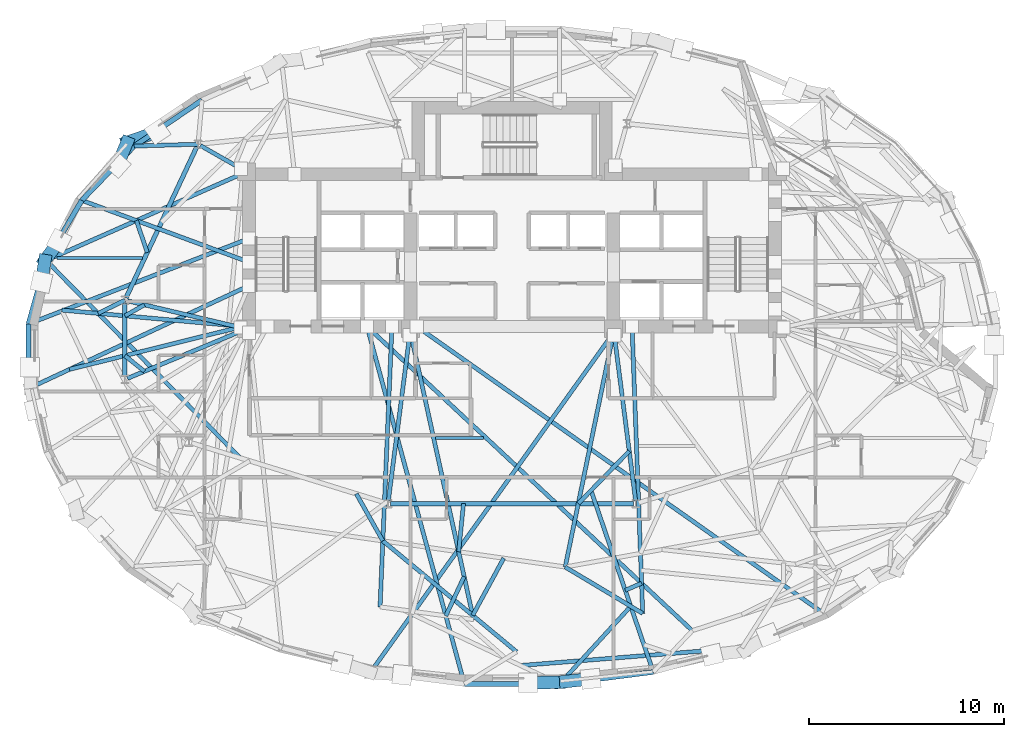
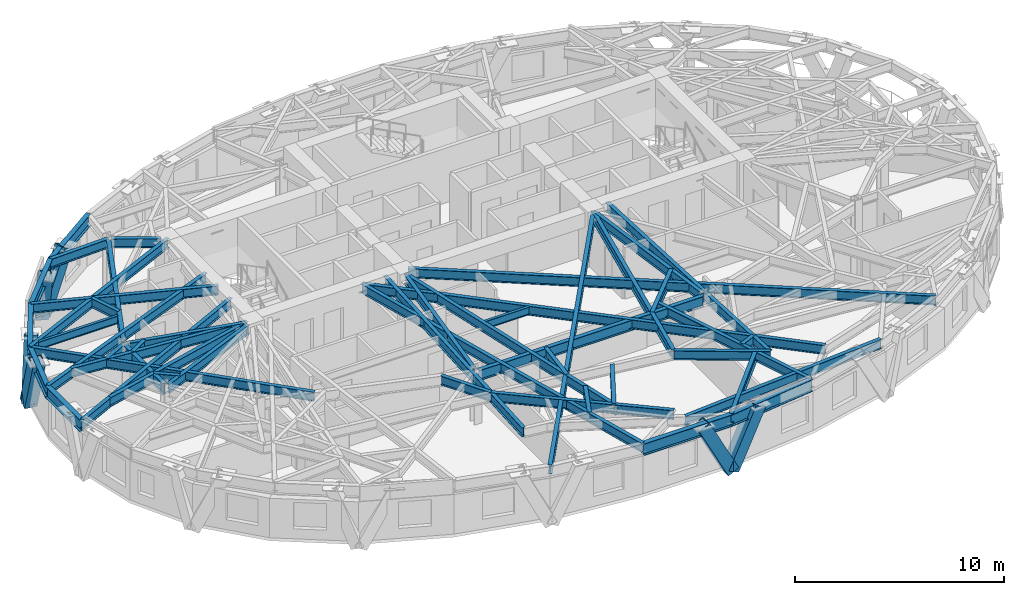
# One storey, part 2 of 15: 48 beams, 6 members.
"""IFC4 building model written with IfcOpenShell, lengths in metres."""

from ifc_helpers import new_model, si_unit, direction, frame, origin, origin_2d, place, context, subcontext, project, spatial, hollow_rectangle, i_section, extrude, material, material_profile, profile_set, type_object, element, save


model = new_model("IFC4")

# Units and contexts
model_context = context("Model", 3, precision=1e-05, world=origin(), true_north=direction((0.0, 1.0)))
body_context = subcontext(model_context, "Body", "Model", "MODEL_VIEW")
ifc_project = project(units=[si_unit("LENGTHUNIT", "METRE"), si_unit("AREAUNIT", "SQUARE_METRE"), si_unit("VOLUMEUNIT", "CUBIC_METRE"), si_unit("PLANEANGLEUNIT", "RADIAN"), si_unit("MASSUNIT", "GRAM", prefix="KILO")], contexts=[model_context])

# Site, building, storey
site_placement = place(None, origin())
site = spatial("IfcSite", under=ifc_project, at=site_placement, CompositionType="ELEMENT")
building_placement = place(site_placement, origin())
building = spatial("IfcBuilding", under=site, at=building_placement, Name="Keldmark Tower", CompositionType="ELEMENT")
storey_placement = place(building_placement, frame((0.0, 0.0, 156.60009765625)))
storey = spatial("IfcBuildingStorey", under=building, at=storey_placement, Name="L42", CompositionType="ELEMENT", Elevation=156.60009765625)

# Beams
ifc_material_1 = material(Name="Steel ASTM A992 Grade 50", Category="steel")
ifc_material_profile_1 = material_profile(ifc_material_1, i_section(OverallWidth=0.153076171875, OverallDepth=0.455078125, WebThickness=0.008056640625, FlangeThickness=0.01318359375, at=origin_2d()), Name="W18X40")
ifc_profile_set_1 = profile_set([ifc_material_profile_1], Name="Steel ASTM A992 Grade 50")
beam_type_1 = type_object("IfcBeamType", Name="Composite Floor Joist W18X40", PredefinedType="JOIST", material=ifc_profile_set_1)
beam_1_placement = place(storey_placement, frame((-3.917236328125, -4.179931640625, 2.79248046875), z_axis=(1.0, 0.0, 0.0), x_axis=(0.0, 1.0, 0.0)))
element("IfcBeam", 1, at=beam_1_placement, inside=storey, type_object=beam_type_1, Name="L42 Composite Floor Joist J03", PredefinedType="JOIST", context=body_context, shape_type="SweptSolid", body=[
    extrude(i_section(OverallWidth=0.153076171875, OverallDepth=0.455078125, WebThickness=0.008056640625, FlangeThickness=0.01318359375, at=origin_2d()), origin(), (0.0, 0.0, 1.0), 2.4501953125),
])
beam_2_placement = place(storey_placement, frame((-23.309326171875, 5.0400390625, 2.79248046875), z_axis=(1.0, 0.0, 0.0), x_axis=(0.0, 1.0, 0.0)))
element("IfcBeam", 2, at=beam_2_placement, inside=storey, type_object=beam_type_1, Name="L42 Composite Floor Joist J06", PredefinedType="JOIST", context=body_context, shape_type="SweptSolid", body=[
    extrude(i_section(OverallWidth=0.153076171875, OverallDepth=0.455078125, WebThickness=0.008056640625, FlangeThickness=0.01318359375, at=origin_2d()), origin(), (0.0, 0.0, 1.0), 4.381591796875),
])

# Members
ifc_material_2 = material(Name="Steel ASTM A572 Grade 50", Category="steel")
ifc_material_profile_2 = material_profile(ifc_material_2, hollow_rectangle(XDim=0.64990234375, YDim=0.64990234375, WallThickness=0.0400390625, at=origin_2d()), Name="BOX650X650X40")
ifc_profile_set_2 = profile_set([ifc_material_profile_2], Name="Steel ASTM A572 Grade 50")
member_type = type_object("IfcMemberType", Name="Diagrid Zone 3 Brace BOX650X650X40", PredefinedType="BRACE", material=ifc_profile_set_2)
member_1_placement = place(storey_placement, frame((-19.728515625, 10.94970703125, -0.260009765625), z_axis=(0.440330423973, 0.15463497043, 0.884419099547), x_axis=(-0.331341573363, 0.943510869975, 0.0)))
element("IfcMember", 3, at=member_1_placement, inside=storey, type_object=member_type, Name="L42 Perimeter Diagrid Brace 06B", PredefinedType="BRACE", context=body_context, shape_type="SweptSolid", body=[
    extrude(hollow_rectangle(XDim=0.64990234375, YDim=0.64990234375, WallThickness=0.0400390625, at=origin_2d()), origin(), (0.0, 0.0, 1.0), 3.57275390625),
])
member_2_placement = place(storey_placement, frame((-19.72021484375, 10.9580078125, -0.260009765625), z_axis=(-0.140908347292, -0.34070805278, 0.929549816005), x_axis=(0.924088009016, -0.382179737287, 0.0)))
element("IfcMember", 4, at=member_2_placement, inside=storey, type_object=member_type, Name="L42 Perimeter Diagrid Brace 07A", PredefinedType="BRACE", context=body_context, shape_type="SweptSolid", body=[
    extrude(hollow_rectangle(XDim=0.64990234375, YDim=0.64990234375, WallThickness=0.0400390625, at=origin_2d()), origin(), (0.0, 0.0, 1.0), 3.3994140625),
])
member_3_placement = place(storey_placement, frame((-23.931396484375, 4.903564453125, -0.260009765625), z_axis=(0.216253324186, 0.294642457329, 0.930817018601), x_axis=(-0.80616721419, 0.59168777473, 0.0)))
element("IfcMember", 5, at=member_3_placement, inside=storey, type_object=member_type, Name="L42 Perimeter Diagrid Brace 07B", PredefinedType="BRACE", context=body_context, shape_type="SweptSolid", body=[
    extrude(hollow_rectangle(XDim=0.64990234375, YDim=0.64990234375, WallThickness=0.0400390625, at=origin_2d()), origin(), (0.0, 0.0, 1.0), 3.394775390625),
])
member_4_placement = place(storey_placement, frame((-23.927001953125, 4.914306640625, -0.260009765625), z_axis=(-0.052339250458, -0.330996622853, 0.942179302745), x_axis=(0.987727714258, -0.156185666715, 0.0)))
element("IfcMember", 6, at=member_4_placement, inside=storey, type_object=member_type, Name="L42 Perimeter Diagrid Brace 08A", PredefinedType="BRACE", context=body_context, shape_type="SweptSolid", body=[
    extrude(hollow_rectangle(XDim=0.64990234375, YDim=0.64990234375, WallThickness=0.0400390625, at=origin_2d()), origin(), (0.0, 0.0, 1.0), 3.353759765625),
])
member_5_placement = place(storey_placement, frame((2.440673828125, -16.697509765625, -0.260009765625), z_axis=(-0.456547638671, -0.008729531784, 0.88965614082), x_axis=(0.01911725242, -0.999817248631, 0.0)))
element("IfcMember", 7, at=member_5_placement, inside=storey, type_object=member_type, Name="L42 Perimeter Diagrid Brace 12B", PredefinedType="BRACE", context=body_context, shape_type="SweptSolid", body=[
    extrude(hollow_rectangle(XDim=0.64990234375, YDim=0.64990234375, WallThickness=0.0400390625, at=origin_2d()), origin(), (0.0, 0.0, 1.0), 3.5517578125),
])
member_6_placement = place(storey_placement, frame((2.428955078125, -16.697509765625, -0.260009765625), z_axis=(0.451976552368, 0.049202684979, 0.890671820538), x_axis=(-0.108221779044, 0.99412677589, 0.0)))
element("IfcMember", 8, at=member_6_placement, inside=storey, type_object=member_type, Name="L42 Perimeter Diagrid Brace 13A", PredefinedType="BRACE", context=body_context, shape_type="SweptSolid", body=[
    extrude(hollow_rectangle(XDim=0.64990234375, YDim=0.64990234375, WallThickness=0.0400390625, at=origin_2d()), origin(), (0.0, 0.0, 1.0), 3.5478515625),
])

# Beams
ifc_material_3 = material(Name="Steel ASTM A992 Grade 50", Category="steel")
ifc_material_profile_3 = material_profile(ifc_material_3, i_section(OverallWidth=0.22900390625, OverallDepth=0.612060546875, WebThickness=0.011962890625, FlangeThickness=0.01953125, at=origin_2d()), Name="W24X84")
ifc_profile_set_3 = profile_set([ifc_material_profile_3], Name="Steel ASTM A992 Grade 50")
beam_type_2 = type_object("IfcBeamType", Name="Primary Floor Girder W24X84", PredefinedType="BEAM", material=ifc_profile_set_3)
beam_3_placement = place(storey_placement, frame((-16.140869140625, 10.734130859375, 2.7138671875), z_axis=(-0.424526823774, -0.905415360979, 0.0), x_axis=(0.905415360979, -0.424526823774, 0.0)))
element("IfcBeam", 9, at=beam_3_placement, inside=storey, type_object=beam_type_2, Name="L42 Floor Ring Girder FG-R05", PredefinedType="BEAM", context=body_context, shape_type="SweptSolid", body=[
    extrude(i_section(OverallWidth=0.22900390625, OverallDepth=0.612060546875, WebThickness=0.011962890625, FlangeThickness=0.01953125, at=origin_2d()), origin(), (0.0, 0.0, 1.0), 8.54638671875),
])
beam_4_placement = place(storey_placement, frame((-19.828369140625, 2.729248046875, 2.7138671875), z_axis=(0.0, -1.0, 0.0), x_axis=(1.0, 0.0, 0.0)))
element("IfcBeam", 10, at=beam_4_placement, inside=storey, type_object=beam_type_2, Name="L42 Floor Ring Girder FG-R06", PredefinedType="BEAM", context=body_context, shape_type="SweptSolid", body=[
    extrude(i_section(OverallWidth=0.22900390625, OverallDepth=0.612060546875, WebThickness=0.011962890625, FlangeThickness=0.01953125, at=origin_2d()), origin(), (0.0, 0.0, 1.0), 3.778564453125),
])
beam_5_placement = place(storey_placement, frame((-6.211181640625, -7.546142578125, 2.7138671875), z_axis=(1.0, 0.0, 0.0), x_axis=(0.0, 1.0, 0.0)))
element("IfcBeam", 11, at=beam_5_placement, inside=storey, type_object=beam_type_2, Name="L42 Floor Ring Girder FG-R09", PredefinedType="BEAM", context=body_context, shape_type="SweptSolid", body=[
    extrude(i_section(OverallWidth=0.22900390625, OverallDepth=0.612060546875, WebThickness=0.011962890625, FlangeThickness=0.01953125, at=origin_2d()), origin(), (0.0, 0.0, 1.0), 12.42236328125),
])
ifc_material_4 = material(Name="Steel ASTM A992 Grade 50", Category="steel")
ifc_material_profile_4 = material_profile(ifc_material_4, i_section(OverallWidth=0.2099609375, OverallDepth=0.537109375, WebThickness=0.010986328125, FlangeThickness=0.017333984375, at=origin_2d()), Name="W21X68")
ifc_profile_set_4 = profile_set([ifc_material_profile_4], Name="Steel ASTM A992 Grade 50")
beam_type_3 = type_object("IfcBeamType", Name="Radial Tie Girder W21X68", PredefinedType="BEAM", material=ifc_profile_set_4)
beam_6_placement = place(storey_placement, frame((-15.959716796875, 10.791748046875, 2.75146484375), z_axis=(0.86929527307, -0.494293160197, 0.0), x_axis=(0.494293160197, 0.86929527307, 0.0)))
element("IfcBeam", 12, at=beam_6_placement, inside=storey, type_object=beam_type_3, Name="L42 Floor Radial Girder FG-C05", PredefinedType="BEAM", context=body_context, shape_type="SweptSolid", body=[
    extrude(i_section(OverallWidth=0.2099609375, OverallDepth=0.537109375, WebThickness=0.010986328125, FlangeThickness=0.017333984375, at=origin_2d()), origin(), (0.0, 0.0, 1.0), 2.39453125),
])
beam_7_placement = place(storey_placement, frame((-19.692138671875, 2.837158203125, 2.75146484375), z_axis=(0.973280062348, -0.229621253887, 0.0), x_axis=(0.229621253887, 0.973280062348, 0.0)))
element("IfcBeam", 13, at=beam_7_placement, inside=storey, type_object=beam_type_3, Name="L42 Floor Radial Girder FG-C06", PredefinedType="BEAM", context=body_context, shape_type="SweptSolid", body=[
    extrude(i_section(OverallWidth=0.2099609375, OverallDepth=0.537109375, WebThickness=0.010986328125, FlangeThickness=0.017333984375, at=origin_2d()), origin(), (0.0, 0.0, 1.0), 5.939208984375),
])
beam_8_placement = place(storey_placement, frame((-19.69921875, -1.135498046875, 2.75146484375), z_axis=(0.923393794893, 0.383854008124, 0.0), x_axis=(-0.383854008124, 0.923393794893, 0.0)))
element("IfcBeam", 14, at=beam_8_placement, inside=storey, type_object=beam_type_3, Name="L42 Floor Radial Girder FG-C07", PredefinedType="BEAM", context=body_context, shape_type="SweptSolid", body=[
    extrude(i_section(OverallWidth=0.2099609375, OverallDepth=0.537109375, WebThickness=0.010986328125, FlangeThickness=0.017333984375, at=origin_2d()), origin(), (0.0, 0.0, 1.0), 6.28515625),
])
for number, where, z_axis, x_axis, name in (
    (15, (-6.333251953125, -7.4072265625, 2.75146484375), (0.127635577416, 0.991821132754, 0.0), (-0.991821132754, 0.127635577416, 0.0), "L42 Floor Radial Girder FG-C09"),
    (16, (6.333251953125, -7.4072265625, 2.75146484375), (-0.127635577416, 0.991821132754, 0.0), (-0.991821132754, -0.127635577416, 0.0), "L42 Floor Radial Girder FG-C10"),
):
    element("IfcBeam", number, at=place(storey_placement, frame(where, z_axis=z_axis, x_axis=x_axis)), inside=storey, type_object=beam_type_3, Name=name, PredefinedType="BEAM", context=body_context, shape_type="SweptSolid", body=[
        extrude(i_section(OverallWidth=0.2099609375, OverallDepth=0.537109375, WebThickness=0.010986328125, FlangeThickness=0.017333984375, at=origin_2d()), origin(), (0.0, 0.0, 1.0), 8.559814453125),
    ])
beam_9_placement = place(storey_placement, frame((-18.82861328125, -0.773681640625, 2.75146484375), z_axis=(-0.779288200564, 0.626665700722, 0.0), x_axis=(-0.626665700722, -0.779288200564, 0.0)))
element("IfcBeam", 17, at=beam_9_placement, inside=storey, type_object=beam_type_3, Name="L42 Framing Pin Header PH-001", PredefinedType="BEAM", context=body_context, shape_type="SweptSolid", body=[
    extrude(i_section(OverallWidth=0.2099609375, OverallDepth=0.537109375, WebThickness=0.010986328125, FlangeThickness=0.017333984375, at=origin_2d()), origin(), (0.0, 0.0, 1.0), 1.282958984375),
])
beam_10_placement = place(storey_placement, frame((-13.800048828125, 1.52490234375, 2.75146484375), z_axis=(-0.970610768192, -0.240654808118, 0.0), x_axis=(0.240654808118, -0.970610768192, 0.0)))
element("IfcBeam", 18, at=beam_10_placement, inside=storey, type_object=beam_type_3, Name="L42 Sub-Ring Step Girder STP1-M07", PredefinedType="BEAM", context=body_context, shape_type="SweptSolid", body=[
    extrude(i_section(OverallWidth=0.2099609375, OverallDepth=0.537109375, WebThickness=0.010986328125, FlangeThickness=0.017333984375, at=origin_2d()), origin(), (0.0, 0.0, 1.0), 9.134521484375),
])
beam_11_placement = place(storey_placement, frame((-18.824951171875, 2.632568359375, 2.75146484375), z_axis=(-0.872650802623, -0.488344731395, 0.0), x_axis=(0.488344731395, -0.872650802623, 0.0)))
element("IfcBeam", 19, at=beam_11_placement, inside=storey, type_object=beam_type_3, Name="L42 Framing Pin Header PH-005", PredefinedType="BEAM", context=body_context, shape_type="SweptSolid", body=[
    extrude(i_section(OverallWidth=0.2099609375, OverallDepth=0.537109375, WebThickness=0.010986328125, FlangeThickness=0.017333984375, at=origin_2d()), origin(), (0.0, 0.0, 1.0), 1.14990234375),
])
beam_12_placement = place(storey_placement, frame((-13.800048828125, 1.52490234375, 2.75146484375), z_axis=(-0.995920918617, 0.090230393222, 0.0), x_axis=(-0.090230393222, -0.995920918617, 0.0)))
element("IfcBeam", 20, at=beam_12_placement, inside=storey, type_object=beam_type_3, Name="L42 Sub-Ring Step Girder STP2-M07", PredefinedType="BEAM", context=body_context, shape_type="SweptSolid", body=[
    extrude(i_section(OverallWidth=0.2099609375, OverallDepth=0.537109375, WebThickness=0.010986328125, FlangeThickness=0.017333984375, at=origin_2d()), origin(), (0.0, 0.0, 1.0), 9.299560546875),
])
beam_13_placement = place(storey_placement, frame((6.005615234375, -4.8603515625, 2.75146484375), z_axis=(-0.697030922588, -0.717041067831, 0.0), x_axis=(0.717041067831, -0.697030922588, 0.0)))
element("IfcBeam", 21, at=beam_13_placement, inside=storey, type_object=beam_type_3, Name="L42 Framing Pin Header PH-007", PredefinedType="BEAM", context=body_context, shape_type="SweptSolid", body=[
    extrude(i_section(OverallWidth=0.2099609375, OverallDepth=0.537109375, WebThickness=0.010986328125, FlangeThickness=0.017333984375, at=origin_2d()), origin(), (0.0, 0.0, 1.0), 3.74560546875),
])
beam_14_placement = place(storey_placement, frame((5.199951171875, 1.199951171875, 2.75146484375), z_axis=(-0.202145542954, -0.979355491874, 0.0), x_axis=(0.979355491874, -0.202145542954, 0.0)))
element("IfcBeam", 22, at=beam_14_placement, inside=storey, type_object=beam_type_3, Name="L42 Sub-Ring Step Girder STP2-M10", PredefinedType="BEAM", context=body_context, shape_type="SweptSolid", body=[
    extrude(i_section(OverallWidth=0.2099609375, OverallDepth=0.537109375, WebThickness=0.010986328125, FlangeThickness=0.017333984375, at=origin_2d()), origin(), (0.0, 0.0, 1.0), 12.2490234375),
])
beam_15_placement = place(storey_placement, frame((-16.08154296875, 10.861083984375, 2.75146484375), z_axis=(-0.999564975012, -0.029493401444, 0.0), x_axis=(0.029493401444, -0.999564975012, 0.0)))
element("IfcBeam", 23, at=beam_15_placement, inside=storey, type_object=beam_type_3, Name="L42 Perimeter Column Bracket RT-13", PredefinedType="BEAM", context=body_context, shape_type="SweptSolid", body=[
    extrude(i_section(OverallWidth=0.2099609375, OverallDepth=0.537109375, WebThickness=0.010986328125, FlangeThickness=0.017333984375, at=origin_2d()), origin(), (0.0, 0.0, 1.0), 3.269775390625),
])
beam_16_placement = place(storey_placement, frame((-19.828369140625, 2.869140625, 2.75146484375), z_axis=(-0.896879571725, -0.44227483969, 0.0), x_axis=(0.44227483969, -0.896879571725, 0.0)))
element("IfcBeam", 24, at=beam_16_placement, inside=storey, type_object=beam_type_3, Name="L42 Framing Pin Header PH-014", PredefinedType="BEAM", context=body_context, shape_type="SweptSolid", body=[
    extrude(i_section(OverallWidth=0.2099609375, OverallDepth=0.537109375, WebThickness=0.010986328125, FlangeThickness=0.017333984375, at=origin_2d()), origin(), (0.0, 0.0, 1.0), 1.524658203125),
])
beam_17_placement = place(storey_placement, frame((-13.930908203125, -5.2060546875, 2.75146484375), z_axis=(-0.700520370679, 0.713632405559, 0.0), x_axis=(-0.713632405559, -0.700520370679, 0.0)))
element("IfcBeam", 25, at=beam_17_placement, inside=storey, type_object=beam_type_3, Name="L42 Perimeter Radial Tie Girder RT-15", PredefinedType="BEAM", context=body_context, shape_type="SweptSolid", body=[
    extrude(i_section(OverallWidth=0.2099609375, OverallDepth=0.537109375, WebThickness=0.010986328125, FlangeThickness=0.017333984375, at=origin_2d()), origin(), (0.0, 0.0, 1.0), 14.16943359375),
])
beam_18_placement = place(storey_placement, frame((-13.47509765625, 6.028564453125, 2.75146484375), z_axis=(-0.932448937032, -0.361301784977, 0.0), x_axis=(0.361301784977, -0.932448937032, 0.0)))
element("IfcBeam", 26, at=beam_18_placement, inside=storey, type_object=beam_type_3, Name="L42 Perimeter Radial Tie Girder RT-16", PredefinedType="BEAM", context=body_context, shape_type="SweptSolid", body=[
    extrude(i_section(OverallWidth=0.2099609375, OverallDepth=0.537109375, WebThickness=0.010986328125, FlangeThickness=0.017333984375, at=origin_2d()), origin(), (0.0, 0.0, 1.0), 12.10888671875),
])
beam_19_placement = place(storey_placement, frame((-13.47509765625, 3.6142578125, 2.75146484375), z_axis=(-0.906223684344, -0.422798573713, 0.0), x_axis=(0.422798573713, -0.906223684344, 0.0)))
element("IfcBeam", 27, at=beam_19_placement, inside=storey, type_object=beam_type_3, Name="L42 Perimeter Radial Tie Girder RT-17", PredefinedType="BEAM", context=body_context, shape_type="SweptSolid", body=[
    extrude(i_section(OverallWidth=0.2099609375, OverallDepth=0.537109375, WebThickness=0.010986328125, FlangeThickness=0.017333984375, at=origin_2d()), origin(), (0.0, 0.0, 1.0), 12.45947265625),
])
beam_20_placement = place(storey_placement, frame((-7.97412109375, -7.045166015625, 2.75146484375), z_axis=(0.49069663956, -0.871330481462, 0.0), x_axis=(0.871330481462, 0.49069663956, 0.0)))
element("IfcBeam", 28, at=beam_20_placement, inside=storey, type_object=beam_type_3, Name="L42 Framing Pin Header PH-021", PredefinedType="BEAM", context=body_context, shape_type="SweptSolid", body=[
    extrude(i_section(OverallWidth=0.2099609375, OverallDepth=0.537109375, WebThickness=0.010986328125, FlangeThickness=0.017333984375, at=origin_2d()), origin(), (0.0, 0.0, 1.0), 2.768310546875),
])
beam_21_placement = place(storey_placement, frame((-6.14990234375, 1.52490234375, 2.75146484375), z_axis=(-0.042370807986, -0.999101954072, 0.0), x_axis=(0.999101954072, -0.042370807986, 0.0)))
element("IfcBeam", 29, at=beam_21_placement, inside=storey, type_object=beam_type_3, Name="L42 Intermediate Radial Step Girder RT-23M", PredefinedType="BEAM", context=body_context, shape_type="SweptSolid", body=[
    extrude(i_section(OverallWidth=0.2099609375, OverallDepth=0.537109375, WebThickness=0.010986328125, FlangeThickness=0.017333984375, at=origin_2d()), origin(), (0.0, 0.0, 1.0), 14.376220703125),
])
beam_22_placement = place(storey_placement, frame((-2.484619140625, -7.546142578125, 2.75146484375), z_axis=(-0.099513464633, -0.995036215601, 0.0), x_axis=(0.995036215601, -0.099513464633, 0.0)))
element("IfcBeam", 30, at=beam_22_placement, inside=storey, type_object=beam_type_3, Name="L42 Framing Pin Header PH-022", PredefinedType="BEAM", context=body_context, shape_type="SweptSolid", body=[
    extrude(i_section(OverallWidth=0.2099609375, OverallDepth=0.537109375, WebThickness=0.010986328125, FlangeThickness=0.017333984375, at=origin_2d()), origin(), (0.0, 0.0, 1.0), 2.480224609375),
])
beam_23_placement = place(storey_placement, frame((-5.199951171875, 1.199951171875, 2.75146484375), z_axis=(0.214982849645, -0.976617824105, 0.0), x_axis=(0.976617824105, 0.214982849645, 0.0)))
element("IfcBeam", 31, at=beam_23_placement, inside=storey, type_object=beam_type_3, Name="L42 Intermediate Radial Step Girder RT-24M", PredefinedType="BEAM", context=body_context, shape_type="SweptSolid", body=[
    extrude(i_section(OverallWidth=0.2099609375, OverallDepth=0.537109375, WebThickness=0.010986328125, FlangeThickness=0.017333984375, at=origin_2d()), origin(), (0.0, 0.0, 1.0), 15.04150390625),
])
beam_24_placement = place(storey_placement, frame((-2.451416015625, -11.286376953125, 2.75146484375), z_axis=(-0.423060183444, -0.906101584363, 0.0), x_axis=(0.906101584363, -0.423060183444, 0.0)))
element("IfcBeam", 32, at=beam_24_placement, inside=storey, type_object=beam_type_3, Name="L42 Framing Pin Header PH-023", PredefinedType="BEAM", context=body_context, shape_type="SweptSolid", body=[
    extrude(i_section(OverallWidth=0.2099609375, OverallDepth=0.537109375, WebThickness=0.010986328125, FlangeThickness=0.017333984375, at=origin_2d()), origin(), (0.0, 0.0, 1.0), 2.21826171875),
])
beam_25_placement = place(storey_placement, frame((-7.425048828125, 1.52490234375, 2.75146484375), z_axis=(0.262695067336, -0.964878905147, 0.0), x_axis=(0.964878905147, 0.262695067336, 0.0)))
element("IfcBeam", 33, at=beam_25_placement, inside=storey, type_object=beam_type_3, Name="L42 Perimeter Radial Tie Girder RT-24", PredefinedType="BEAM", context=body_context, shape_type="SweptSolid", body=[
    extrude(i_section(OverallWidth=0.2099609375, OverallDepth=0.537109375, WebThickness=0.010986328125, FlangeThickness=0.017333984375, at=origin_2d()), origin(), (0.0, 0.0, 1.0), 18.9794921875),
])
beam_26_placement = place(storey_placement, frame((-0.42431640625, -10.3447265625, 2.75146484375), z_axis=(-0.477146839021, -0.878823585261, 0.0), x_axis=(0.878823585261, -0.477146839021, 0.0)))
element("IfcBeam", 34, at=beam_26_placement, inside=storey, type_object=beam_type_3, Name="L42 Framing Pin Header PH-024", PredefinedType="BEAM", context=body_context, shape_type="SweptSolid", body=[
    extrude(i_section(OverallWidth=0.2099609375, OverallDepth=0.537109375, WebThickness=0.010986328125, FlangeThickness=0.017333984375, at=origin_2d()), origin(), (0.0, 0.0, 1.0), 3.33203125),
])
beam_27_placement = place(storey_placement, frame((-6.61572265625, -9.457275390625, 2.75146484375), z_axis=(0.769788200668, -0.638299401623, 0.0), x_axis=(0.638299401623, 0.769788200668, 0.0)))
element("IfcBeam", 35, at=beam_27_placement, inside=storey, type_object=beam_type_3, Name="L42 Intermediate Radial Step Girder RT-25M", PredefinedType="BEAM", context=body_context, shape_type="SweptSolid", body=[
    extrude(i_section(OverallWidth=0.2099609375, OverallDepth=0.537109375, WebThickness=0.010986328125, FlangeThickness=0.017333984375, at=origin_2d()), origin(), (0.0, 0.0, 1.0), 8.901123046875),
])
beam_28_placement = place(storey_placement, frame((6.14990234375, 1.52490234375, 2.75146484375), z_axis=(0.037079802935, -0.999312307647, 0.0), x_axis=(0.999312307647, 0.037079802935, 0.0)))
element("IfcBeam", 36, at=beam_28_placement, inside=storey, type_object=beam_type_3, Name="L42 Intermediate Radial Step Girder RT-26M", PredefinedType="BEAM", context=body_context, shape_type="SweptSolid", body=[
    extrude(i_section(OverallWidth=0.2099609375, OverallDepth=0.537109375, WebThickness=0.010986328125, FlangeThickness=0.017333984375, at=origin_2d()), origin(), (0.0, 0.0, 1.0), 14.708984375),
])
beam_29_placement = place(storey_placement, frame((2.723876953125, -10.796142578125, 2.75146484375), z_axis=(0.857962596816, -0.513712159156, 0.0), x_axis=(0.513712159156, 0.857962596816, 0.0)))
element("IfcBeam", 37, at=beam_29_placement, inside=storey, type_object=beam_type_3, Name="L42 Local Collector Chord RT-26C", PredefinedType="BEAM", context=body_context, shape_type="SweptSolid", body=[
    extrude(i_section(OverallWidth=0.2099609375, OverallDepth=0.537109375, WebThickness=0.010986328125, FlangeThickness=0.017333984375, at=origin_2d()), origin(), (0.0, 0.0, 1.0), 4.62890625),
])
beam_30_placement = place(storey_placement, frame((2.439208984375, -16.7880859375, 2.75146484375), z_axis=(0.675130301836, 0.737698499078, 0.0), x_axis=(-0.737698499078, 0.675130301836, 0.0)))
element("IfcBeam", 38, at=beam_30_placement, inside=storey, type_object=beam_type_3, Name="L42 Framing Pin Header PH-027", PredefinedType="BEAM", context=body_context, shape_type="SweptSolid", body=[
    extrude(i_section(OverallWidth=0.2099609375, OverallDepth=0.537109375, WebThickness=0.010986328125, FlangeThickness=0.017333984375, at=origin_2d()), origin(), (0.0, 0.0, 1.0), 5.396484375),
])
beam_31_placement = place(storey_placement, frame((4.04736328125, -6.87451171875, 2.75146484375), z_axis=(0.324486883969, -0.9458901956, 0.0), x_axis=(0.9458901956, 0.324486883969, 0.0)))
element("IfcBeam", 39, at=beam_31_placement, inside=storey, type_object=beam_type_3, Name="L42 Perimeter Radial Tie Girder RT-26", PredefinedType="BEAM", context=body_context, shape_type="SweptSolid", body=[
    extrude(i_section(OverallWidth=0.2099609375, OverallDepth=0.537109375, WebThickness=0.010986328125, FlangeThickness=0.017333984375, at=origin_2d()), origin(), (0.0, 0.0, 1.0), 9.8291015625),
])
beam_32_placement = place(storey_placement, frame((5.801513671875, -11.988037109375, 2.75146484375), z_axis=(0.917516539178, 0.39769762425, 0.0), x_axis=(-0.39769762425, 0.917516539178, 0.0)))
element("IfcBeam", 40, at=beam_32_placement, inside=storey, type_object=beam_type_3, Name="L42 Framing Pin Header PH-028", PredefinedType="BEAM", context=body_context, shape_type="SweptSolid", body=[
    extrude(i_section(OverallWidth=0.2099609375, OverallDepth=0.537109375, WebThickness=0.010986328125, FlangeThickness=0.017333984375, at=origin_2d()), origin(), (0.0, 0.0, 1.0), 0.91162109375),
])
beam_33_placement = place(storey_placement, frame((-7.425048828125, 1.52490234375, 2.75146484375), z_axis=(0.730404363647, -0.683014981948, 0.0), x_axis=(0.683014981948, 0.730404363647, 0.0)))
element("IfcBeam", 41, at=beam_33_placement, inside=storey, type_object=beam_type_3, Name="L42 Intermediate Radial Step Girder RT-27M", PredefinedType="BEAM", context=body_context, shape_type="SweptSolid", body=[
    extrude(i_section(OverallWidth=0.2099609375, OverallDepth=0.537109375, WebThickness=0.010986328125, FlangeThickness=0.017333984375, at=origin_2d()), origin(), (0.0, 0.0, 1.0), 22.812255859375),
])
beam_34_placement = place(storey_placement, frame((0.439208984375, -15.84130859375, 2.75146484375), z_axis=(0.996842108997, 0.079409128755, 0.0), x_axis=(-0.079409128755, 0.996842108997, 0.0)))
element("IfcBeam", 42, at=beam_34_placement, inside=storey, type_object=beam_type_3, Name="L42 Perimeter Radial Tie Girder RT-27", PredefinedType="BEAM", context=body_context, shape_type="SweptSolid", body=[
    extrude(i_section(OverallWidth=0.2099609375, OverallDepth=0.537109375, WebThickness=0.010986328125, FlangeThickness=0.017333984375, at=origin_2d()), origin(), (0.0, 0.0, 1.0), 11.37548828125),
])
beam_35_placement = place(storey_placement, frame((-4.875, 1.52490234375, 2.75146484375), z_axis=(0.817132986975, -0.576449201229, 0.0), x_axis=(0.576449201229, 0.817132986975, 0.0)))
element("IfcBeam", 43, at=beam_35_placement, inside=storey, type_object=beam_type_3, Name="L42 Perimeter Radial Tie Girder RT-28", PredefinedType="BEAM", context=body_context, shape_type="SweptSolid", body=[
    extrude(i_section(OverallWidth=0.2099609375, OverallDepth=0.537109375, WebThickness=0.010986328125, FlangeThickness=0.017333984375, at=origin_2d()), origin(), (0.0, 0.0, 1.0), 25.399658203125),
])
beam_36_placement = place(storey_placement, frame((-13.60009765625, 9.449951171875, 2.75146484375), z_axis=(-0.914287451724, -0.405065989216, 0.0), x_axis=(0.405065989216, -0.914287451724, 0.0)))
element("IfcBeam", 44, at=beam_36_placement, inside=storey, type_object=beam_type_3, Name="L42 Straddling Support Chord RT-14RB", PredefinedType="BEAM", context=body_context, shape_type="SweptSolid", body=[
    extrude(i_section(OverallWidth=0.2099609375, OverallDepth=0.537109375, WebThickness=0.010986328125, FlangeThickness=0.017333984375, at=origin_2d()), origin(), (0.0, 0.0, 1.0), 11.218505859375),
])
beam_37_placement = place(storey_placement, frame((-18.6806640625, 5.3173828125, 2.75146484375), z_axis=(-0.323850853624, 0.946108146359, 0.0), x_axis=(-0.946108146359, -0.323850853624, 0.0)))
element("IfcBeam", 45, at=beam_37_placement, inside=storey, type_object=beam_type_3, Name="L42 Framing Pin Header PH-039", PredefinedType="BEAM", context=body_context, shape_type="SweptSolid", body=[
    extrude(i_section(OverallWidth=0.2099609375, OverallDepth=0.537109375, WebThickness=0.010986328125, FlangeThickness=0.017333984375, at=origin_2d()), origin(), (0.0, 0.0, 1.0), 1.72705078125),
])
beam_38_placement = place(storey_placement, frame((-13.47509765625, 4.8212890625, 2.75146484375), z_axis=(-0.938023045306, 0.346572887679, 0.0), x_axis=(-0.346572887679, -0.938023045306, 0.0)))
element("IfcBeam", 46, at=beam_38_placement, inside=storey, type_object=beam_type_3, Name="L42 Perimeter Radial Tie Girder RT-14R", PredefinedType="BEAM", context=body_context, shape_type="SweptSolid", body=[
    extrude(i_section(OverallWidth=0.2099609375, OverallDepth=0.537109375, WebThickness=0.010986328125, FlangeThickness=0.017333984375, at=origin_2d()), origin(), (0.0, 0.0, 1.0), 9.12744140625),
])
beam_39_placement = place(storey_placement, frame((5.199951171875, 1.199951171875, 2.75146484375), z_axis=(-0.582115591998, -0.813106043239, 0.0), x_axis=(0.813106043239, -0.582115591998, 0.0)))
element("IfcBeam", 47, at=beam_39_placement, inside=storey, type_object=beam_type_3, Name="L42 Perimeter Radial Tie Girder RT-23R", PredefinedType="BEAM", context=body_context, shape_type="SweptSolid", body=[
    extrude(i_section(OverallWidth=0.2099609375, OverallDepth=0.537109375, WebThickness=0.010986328125, FlangeThickness=0.017333984375, at=origin_2d()), origin(), (0.0, 0.0, 1.0), 21.36474609375),
])
ifc_material_5 = material(Name="Steel ASTM A992 Grade 50", Category="steel")
ifc_material_profile_5 = material_profile(ifc_material_5, i_section(OverallWidth=0.256103515625, OverallDepth=0.693115234375, WebThickness=0.014404296875, FlangeThickness=0.023681640625, at=origin_2d()), Name="W27X114")
ifc_profile_set_5 = profile_set([ifc_material_profile_5], Name="Steel ASTM A992 Grade 50")
beam_type_4 = type_object("IfcBeamType", Name="Spandrel Ring Beam W27X114", PredefinedType="SPANDREL", material=ifc_profile_set_5)
beam_40_placement = place(storey_placement, frame((-15.8798828125, 13.11669921875, 2.67333984375), z_axis=(-0.827760762475, -0.561081206338, 0.0), x_axis=(0.561081206338, -0.827760762475, 0.0)))
element("IfcBeam", 48, at=beam_40_placement, inside=storey, type_object=beam_type_4, Name="L42 Perimeter Spandrel Ring Beam SRB-12", PredefinedType="SPANDREL", context=body_context, shape_type="SweptSolid", body=[
    extrude(i_section(OverallWidth=0.256103515625, OverallDepth=0.693115234375, WebThickness=0.014404296875, FlangeThickness=0.023681640625, at=origin_2d()), origin(), (0.0, 0.0, 1.0), 4.19189453125),
])
beam_41_placement = place(storey_placement, frame((-19.349853515625, 10.7646484375, 2.67333984375), z_axis=(-0.694975307772, -0.719033602544, 0.0), x_axis=(0.719033602544, -0.694975307772, 0.0)))
element("IfcBeam", 49, at=beam_41_placement, inside=storey, type_object=beam_type_4, Name="L42 Perimeter Spandrel Ring Beam SRB-13", PredefinedType="SPANDREL", context=body_context, shape_type="SweptSolid", body=[
    extrude(i_section(OverallWidth=0.256103515625, OverallDepth=0.693115234375, WebThickness=0.014404296875, FlangeThickness=0.023681640625, at=origin_2d()), origin(), (0.0, 0.0, 1.0), 3.866455078125),
])
beam_42_placement = place(storey_placement, frame((-22.036865234375, 7.984619140625, 2.67333984375), z_axis=(-0.508883387051, -0.860835465338, 0.0), x_axis=(0.860835465338, -0.508883387051, 0.0)))
element("IfcBeam", 50, at=beam_42_placement, inside=storey, type_object=beam_type_4, Name="L42 Perimeter Spandrel Ring Beam SRB-14", PredefinedType="SPANDREL", context=body_context, shape_type="SweptSolid", body=[
    extrude(i_section(OverallWidth=0.256103515625, OverallDepth=0.693115234375, WebThickness=0.014404296875, FlangeThickness=0.023681640625, at=origin_2d()), origin(), (0.0, 0.0, 1.0), 3.57666015625),
])
beam_43_placement = place(storey_placement, frame((-23.85693359375, 4.90576171875, 2.67333984375), z_axis=(-0.269235699479, -0.963074315993, 0.0), x_axis=(0.963074315993, -0.269235699479, 0.0)))
element("IfcBeam", 51, at=beam_43_placement, inside=storey, type_object=beam_type_4, Name="L42 Perimeter Spandrel Ring Beam SRB-15", PredefinedType="SPANDREL", context=body_context, shape_type="SweptSolid", body=[
    extrude(i_section(OverallWidth=0.256103515625, OverallDepth=0.693115234375, WebThickness=0.014404296875, FlangeThickness=0.023681640625, at=origin_2d()), origin(), (0.0, 0.0, 1.0), 3.376953125),
])
beam_44_placement = place(storey_placement, frame((-24.76611328125, 1.653564453125, 2.67333984375), z_axis=(0.0, -1.0, 0.0), x_axis=(1.0, 0.0, 0.0)))
element("IfcBeam", 52, at=beam_44_placement, inside=storey, type_object=beam_type_4, Name="L42 Perimeter Spandrel Ring Beam SRB-16", PredefinedType="SPANDREL", context=body_context, shape_type="SweptSolid", body=[
    extrude(i_section(OverallWidth=0.256103515625, OverallDepth=0.693115234375, WebThickness=0.014404296875, FlangeThickness=0.023681640625, at=origin_2d()), origin(), (0.0, 0.0, 1.0), 3.30712890625),
])
beam_45_placement = place(storey_placement, frame((-2.439208984375, -16.7880859375, 2.67333984375), z_axis=(1.0, 0.0, 0.0), x_axis=(0.0, 1.0, 0.0)))
element("IfcBeam", 53, at=beam_45_placement, inside=storey, type_object=beam_type_4, Name="L42 Perimeter Spandrel Ring Beam SRB-24", PredefinedType="SPANDREL", context=body_context, shape_type="SweptSolid", body=[
    extrude(i_section(OverallWidth=0.256103515625, OverallDepth=0.693115234375, WebThickness=0.014404296875, FlangeThickness=0.023681640625, at=origin_2d()), origin(), (0.0, 0.0, 1.0), 4.87841796875),
])
beam_46_placement = place(storey_placement, frame((2.439208984375, -16.7880859375, 2.67333984375), z_axis=(0.991852091732, 0.127394772761, 0.0), x_axis=(-0.127394772761, 0.991852091732, 0.0)))
element("IfcBeam", 54, at=beam_46_placement, inside=storey, type_object=beam_type_4, Name="L42 Perimeter Spandrel Ring Beam SRB-25", PredefinedType="SPANDREL", context=body_context, shape_type="SweptSolid", body=[
    extrude(i_section(OverallWidth=0.256103515625, OverallDepth=0.693115234375, WebThickness=0.014404296875, FlangeThickness=0.023681640625, at=origin_2d()), origin(), (0.0, 0.0, 1.0), 4.8369140625),
])

save(model, "model.ifc")
